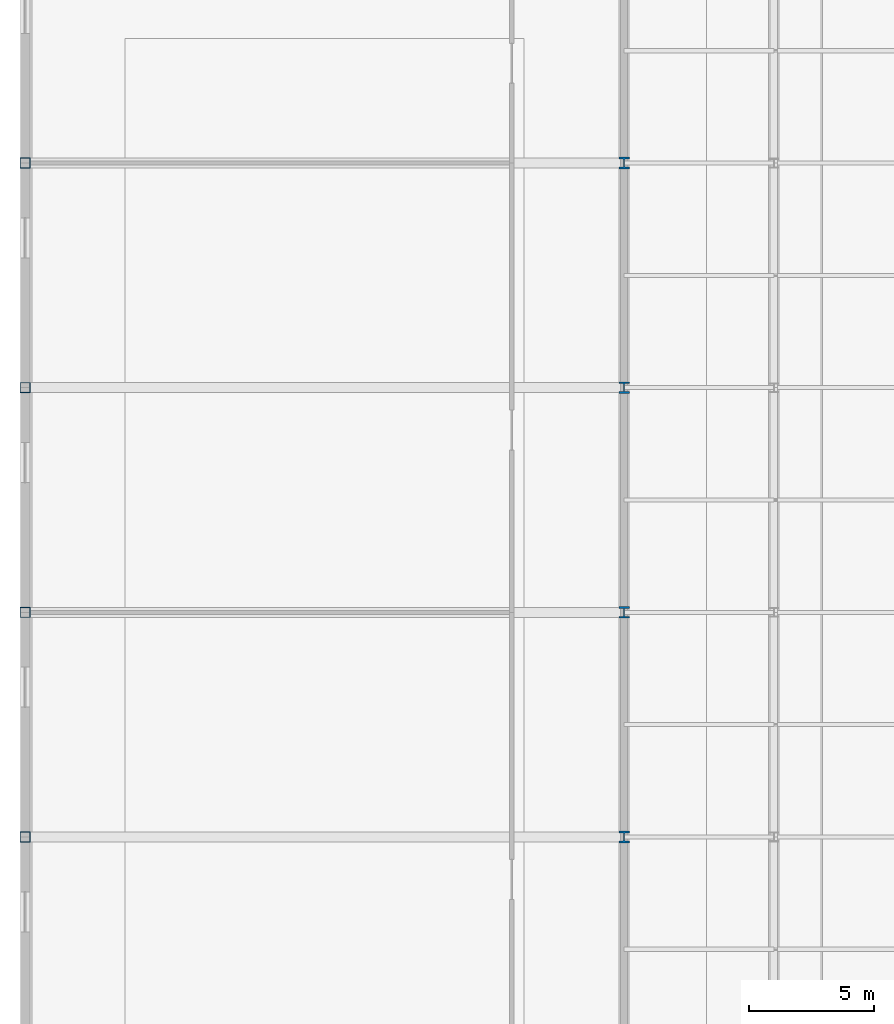
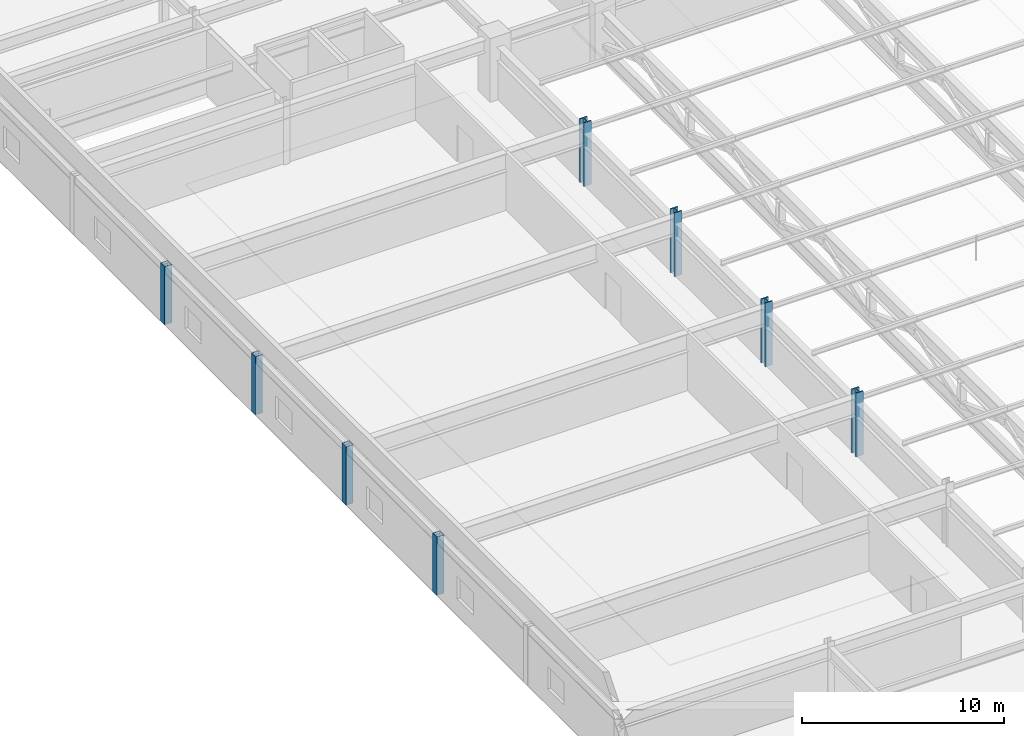
# One storey, part 3 of 108: 8 columns.
"""IFC4 building model written with IfcOpenShell, lengths in metres."""

from ifc_helpers import new_model, si_unit, direction, frame, origin, origin_2d, place, context, subcontext, project, spatial, hollow_rectangle, i_section, extrude, material, material_profile, profile_set, type_object, element, save


model = new_model("IFC4")

# Units and contexts
model_context = context("Model", 3, precision=1e-05, world=origin(), true_north=direction((0.0, 1.0)))
body_context = subcontext(model_context, "Body", "Model", "MODEL_VIEW")
ifc_project = project(units=[si_unit("LENGTHUNIT", "METRE"), si_unit("AREAUNIT", "SQUARE_METRE"), si_unit("VOLUMEUNIT", "CUBIC_METRE"), si_unit("PLANEANGLEUNIT", "RADIAN"), si_unit("MASSUNIT", "GRAM", prefix="KILO")], contexts=[model_context])

# Site, building, storey
site_placement = place(None, origin())
site = spatial("IfcSite", under=ifc_project, at=site_placement, CompositionType="ELEMENT")
building_placement = place(site_placement, origin())
building = spatial("IfcBuilding", under=site, at=building_placement, Name="Kaldorvane Square Convention Centre", CompositionType="ELEMENT")
storey_placement = place(building_placement, frame((0.0, 0.0, 23.399993896484375)))
storey = spatial("IfcBuildingStorey", under=building, at=storey_placement, Name="L04", CompositionType="ELEMENT", Elevation=23.399993896484375)

# Columns
ifc_material_1 = material(Name="Steel ASTM A500 Gr. C", Category="steel")
ifc_material_profile_1 = material_profile(ifc_material_1, hollow_rectangle(XDim=0.406402587890625, YDim=0.406402587890625, WallThickness=0.014801025390625, at=origin_2d()), Name="HSS16X16X5/8")
ifc_profile_set_1 = profile_set([ifc_material_profile_1], Name="Steel ASTM A500 Gr. C")
column_type_1 = type_object("IfcColumnType", Name="COL-HSS-16", PredefinedType="COLUMN", material=ifc_profile_set_1)
for number, where, z_axis, x_axis, name in (
    (1, (0.0, 36.0, 0.0), (0.0, 0.0, 1.0), (1.0, 0.0, 0.0), "Column SC-14 (L04)"),
    (2, (0.0, 45.0, 0.0), (0.0, 0.0, 1.0), (1.0, 0.0, 0.0), "Column SC-14 (L04)"),
    (3, (0.0, 54.0, 0.0), (0.0, 0.0, 1.0), (1.0, 0.0, 0.0), "Column SC-14 (L04)"),
    (4, (0.0, 63.0, 0.0), (0.0, 0.0, 1.0), (1.0, 0.0, 0.0), "Column SC-14 (L04)"),
):
    element("IfcColumn", number, at=place(storey_placement, frame(where, z_axis=z_axis, x_axis=x_axis)), inside=storey, type_object=column_type_1, Name=name, PredefinedType="COLUMN", context=body_context, shape_type="SweptSolid", body=[
        extrude(hollow_rectangle(XDim=0.406402587890625, YDim=0.406402587890625, WallThickness=0.014801025390625, at=origin_2d()), origin(), (0.0, 0.0, 1.0), 3.529998779296875),
    ])
ifc_material_2 = material(Name="Steel ASTM A992 Gr. 50", Category="steel")
ifc_material_profile_2 = material_profile(ifc_material_2, i_section(OverallWidth=0.424102783203125, OverallDepth=0.4741973876953125, WebThickness=0.047607421875, FlangeThickness=0.0771026611328125, FilletRadius=0.0305023193359375, at=origin_2d()), Name="W14X426")
ifc_profile_set_2 = profile_set([ifc_material_profile_2], Name="Steel ASTM A992 Gr. 50")
column_type_2 = type_object("IfcColumnType", Name="COL-STL-426", PredefinedType="COLUMN", material=ifc_profile_set_2)
for number, where, z_axis, x_axis, name in (
    (5, (24.0, 36.0, 0.0), (0.0, 0.0, 1.0), (1.0, 0.0, 0.0), "Column SC-04 (L04)"),
    (6, (24.0, 45.0, 0.0), (0.0, 0.0, 1.0), (1.0, 0.0, 0.0), "Column SC-04 (L04)"),
    (7, (24.0, 54.0, 0.0), (0.0, 0.0, 1.0), (1.0, 0.0, 0.0), "Column SC-04 (L04)"),
    (8, (24.0, 63.0, 0.0), (0.0, 0.0, 1.0), (1.0, 0.0, 0.0), "Column SC-04 (L04)"),
):
    element("IfcColumn", number, at=place(storey_placement, frame(where, z_axis=z_axis, x_axis=x_axis)), inside=storey, type_object=column_type_2, Name=name, PredefinedType="COLUMN", context=body_context, shape_type="SweptSolid", body=[
        extrude(i_section(OverallWidth=0.424102783203125, OverallDepth=0.4741973876953125, WebThickness=0.047607421875, FlangeThickness=0.0771026611328125, FilletRadius=0.0305023193359375, at=origin_2d()), origin(), (0.0, 0.0, 1.0), 3.850006103515625),
    ])

save(model, "model.ifc")
